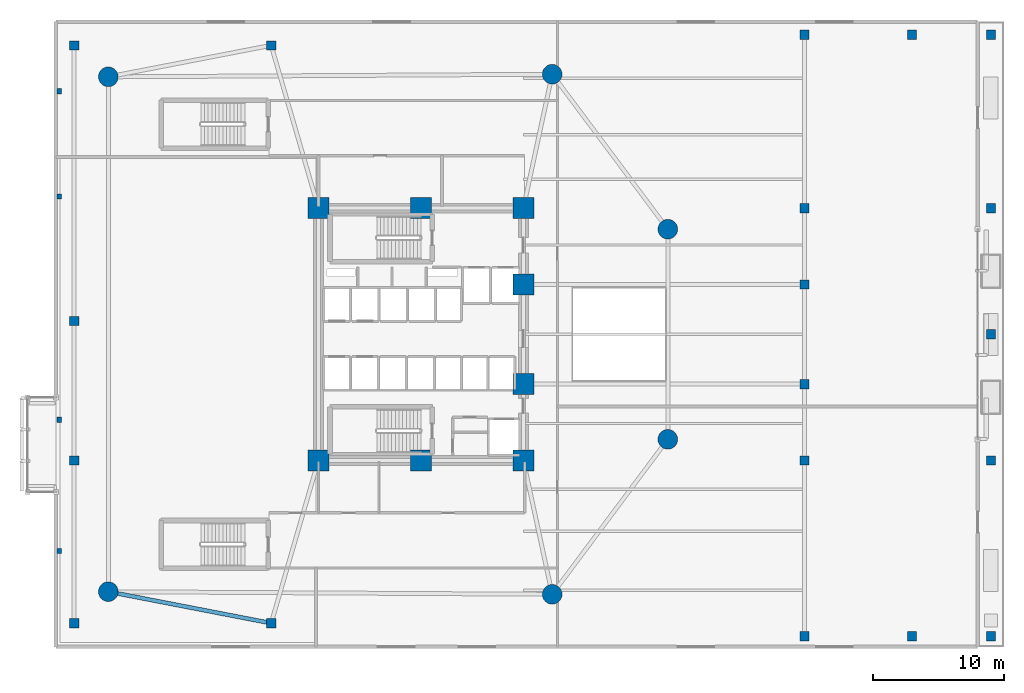
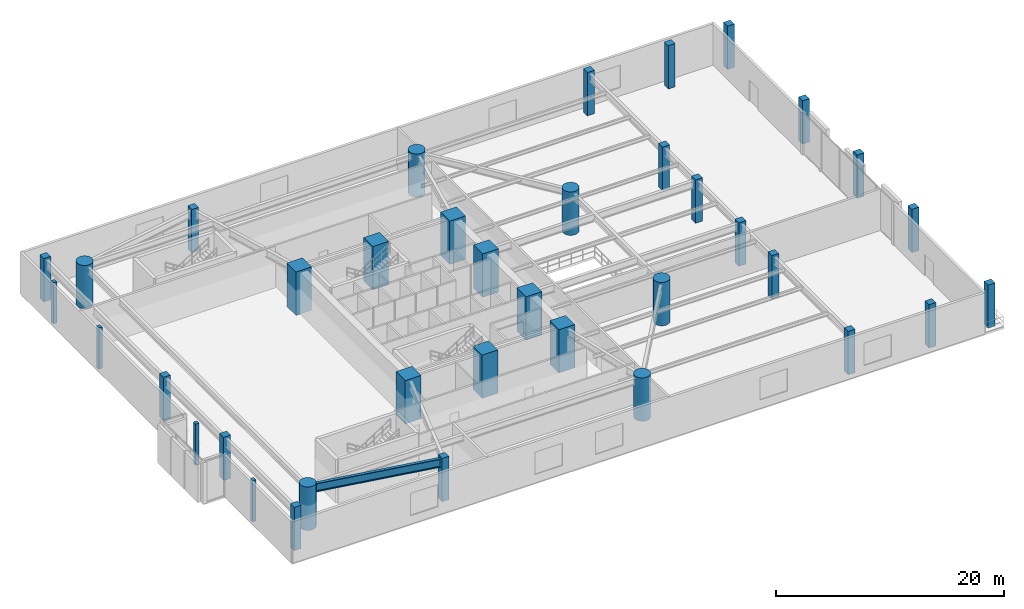
# One storey, part 1 of 16: 37 columns, 1 beam.
"""IFC4 building model written with IfcOpenShell, lengths in metres."""

from ifc_helpers import new_model, si_unit, direction, frame, origin, origin_2d, place, context, subcontext, project, spatial, rectangle, circle, i_section, extrude, material, material_profile, profile_set, type_object, element, save


model = new_model("IFC4")

# Units and contexts
model_context = context("Model", 3, precision=1e-05, world=origin(), true_north=direction((0.0, 1.0)))
body_context = subcontext(model_context, "Body", "Model", "MODEL_VIEW")
ifc_project = project(units=[si_unit("LENGTHUNIT", "METRE"), si_unit("AREAUNIT", "SQUARE_METRE"), si_unit("VOLUMEUNIT", "CUBIC_METRE"), si_unit("PLANEANGLEUNIT", "RADIAN"), si_unit("MASSUNIT", "GRAM", prefix="KILO")], contexts=[model_context])

# Site, building, storey
site_placement = place(None, origin())
site = spatial("IfcSite", under=ifc_project, at=site_placement, CompositionType="ELEMENT")
building_placement = place(site_placement, origin())
building = spatial("IfcBuilding", under=site, at=building_placement, Name="An Khanh Terracotta Commons", CompositionType="ELEMENT")
storey_placement = place(building_placement, frame((0.0, 0.0, 5.39990234375)))
storey = spatial("IfcBuildingStorey", under=building, at=storey_placement, Name="L02", CompositionType="ELEMENT", Elevation=5.39990234375)

# Columns
ifc_material_1 = material(Name="Concrete C70/85", Category="concrete")
ifc_material_profile_1 = material_profile(ifc_material_1, circle(Radius=0.75, at=origin_2d()), Name="CFST1500")
ifc_profile_set_1 = profile_set([ifc_material_profile_1], Name="Concrete C70/85")
column_type_1 = type_object("IfcColumnType", Name="COL-CFST1500", PredefinedType="COLUMN", material=ifc_profile_set_1)
for number, where, z_axis, x_axis, name in (
    (1, (5.60009765625, 4.39990234375, 0.0), (0.0, 0.0, 1.0), (1.0, 0.0, 0.0), "L02 Mega-Column MC-01"),
    (2, (39.39990234375, 4.199951171875, 0.0), (0.0, 0.0, 1.0), (1.0, 0.0, 0.0), "L02 Mega-Column MC-02"),
    (3, (48.199951171875, 16.0, 0.0), (0.0, 0.0, 1.0), (1.0, 0.0, 0.0), "L02 Mega-Column MC-03"),
    (4, (48.199951171875, 32.0, 0.0), (0.0, 0.0, 1.0), (1.0, 0.0, 0.0), "L02 Mega-Column MC-04"),
    (5, (39.39990234375, 43.800048828125, 0.0), (0.0, 0.0, 1.0), (1.0, 0.0, 0.0), "L02 Mega-Column MC-05"),
    (6, (5.60009765625, 43.60009765625, 0.0), (0.0, 0.0, 1.0), (1.0, 0.0, 0.0), "L02 Mega-Column MC-06"),
):
    element("IfcColumn", number, at=place(storey_placement, frame(where, z_axis=z_axis, x_axis=x_axis)), inside=storey, type_object=column_type_1, Name=name, PredefinedType="COLUMN", context=body_context, shape_type="SweptSolid", body=[
        extrude(circle(Radius=0.75, at=origin_2d()), origin(), (0.0, 0.0, 1.0), 4.650146484375),
    ])
ifc_material_profile_2 = material_profile(ifc_material_1, rectangle(XDim=1.60009765625, YDim=1.60009765625, at=origin_2d()), Name="RC1600x1600")
ifc_profile_set_2 = profile_set([ifc_material_profile_2], Name="Concrete C70/85")
column_type_2 = type_object("IfcColumnType", Name="COL-RC1600x1600", PredefinedType="COLUMN", material=ifc_profile_set_2)
for number, where, z_axis, x_axis, name in (
    (7, (21.60009765625, 14.39990234375, 0.0), (0.0, 0.0, 1.0), (1.0, 0.0, 0.0), "L02 Core Boundary Column CC-01"),
    (8, (29.39990234375, 14.39990234375, 0.0), (0.0, 0.0, 1.0), (1.0, 0.0, 0.0), "L02 Core Boundary Column CC-02"),
    (9, (37.199951171875, 14.39990234375, 0.0), (0.0, 0.0, 1.0), (1.0, 0.0, 0.0), "L02 Core Boundary Column CC-03"),
    (10, (37.199951171875, 20.199951171875, 0.0), (0.0, 0.0, 1.0), (1.0, 0.0, 0.0), "L02 Core Boundary Column CC-04"),
    (11, (37.199951171875, 27.800048828125, 0.0), (0.0, 0.0, 1.0), (1.0, 0.0, 0.0), "L02 Core Boundary Column CC-05"),
    (12, (37.199951171875, 33.60009765625, 0.0), (0.0, 0.0, 1.0), (1.0, 0.0, 0.0), "L02 Core Boundary Column CC-06"),
    (13, (29.39990234375, 33.60009765625, 0.0), (0.0, 0.0, 1.0), (1.0, 0.0, 0.0), "L02 Core Boundary Column CC-07"),
    (14, (21.60009765625, 33.60009765625, 0.0), (0.0, 0.0, 1.0), (1.0, 0.0, 0.0), "L02 Core Boundary Column CC-08"),
):
    element("IfcColumn", number, at=place(storey_placement, frame(where, z_axis=z_axis, x_axis=x_axis)), inside=storey, type_object=column_type_2, Name=name, PredefinedType="COLUMN", context=body_context, shape_type="SweptSolid", body=[
        extrude(rectangle(XDim=1.60009765625, YDim=1.60009765625, at=origin_2d()), origin(), (0.0, 0.0, 1.0), 4.650146484375),
    ])
ifc_material_2 = material(Name="Concrete C50/60", Category="concrete")
ifc_material_profile_3 = material_profile(ifc_material_2, rectangle(XDim=0.699951171875, YDim=0.699951171875, at=origin_2d()), Name="RC700x700")
ifc_profile_set_3 = profile_set([ifc_material_profile_3], Name="Concrete C50/60")
column_type_3 = type_object("IfcColumnType", Name="COL-RC700x700", PredefinedType="COLUMN", material=ifc_profile_set_3)
for number, where, z_axis, x_axis, name in (
    (15, (3.0, 2.0, 0.0), (0.0, 0.0, 1.0), (1.0, 0.0, 0.0), "L02 Podium Column PC-01"),
    (16, (18.0, 2.0, 0.0), (0.0, 0.0, 1.0), (1.0, 0.0, 0.0), "L02 Podium Column PC-02"),
    (17, (58.60009765625, 1.0, 0.0), (0.0, 0.0, 1.0), (1.0, 0.0, 0.0), "L02 Podium Column PC-03"),
    (18, (72.800048828125, 1.0, 0.0), (0.0, 0.0, 1.0), (1.0, 0.0, 0.0), "L02 Podium Column PC-04"),
    (19, (72.800048828125, 14.39990234375, 0.0), (0.0, 0.0, 1.0), (1.0, 0.0, 0.0), "L02 Podium Column PC-05"),
    (20, (72.800048828125, 24.0, 0.0), (0.0, 0.0, 1.0), (1.0, 0.0, 0.0), "L02 Podium Column PC-06"),
    (21, (72.800048828125, 33.60009765625, 0.0), (0.0, 0.0, 1.0), (1.0, 0.0, 0.0), "L02 Podium Column PC-07"),
    (22, (72.800048828125, 46.800048828125, 0.0), (0.0, 0.0, 1.0), (1.0, 0.0, 0.0), "L02 Podium Column PC-08"),
    (23, (58.60009765625, 46.800048828125, 0.0), (0.0, 0.0, 1.0), (1.0, 0.0, 0.0), "L02 Podium Column PC-09"),
    (24, (18.0, 46.0, 0.0), (0.0, 0.0, 1.0), (1.0, 0.0, 0.0), "L02 Podium Column PC-10"),
    (25, (3.0, 46.0, 0.0), (0.0, 0.0, 1.0), (1.0, 0.0, 0.0), "L02 Podium Column PC-11"),
    (26, (3.0, 14.39990234375, 0.0), (0.0, 0.0, 1.0), (1.0, 0.0, 0.0), "L02 Podium Column PC-12"),
    (27, (3.0, 25.0, 0.0), (0.0, 0.0, 1.0), (1.0, 0.0, 0.0), "L02 Podium Column PC-17"),
    (28, (58.60009765625, 20.199951171875, 0.0), (0.0, 0.0, 1.0), (1.0, 0.0, 0.0), "L02 Podium Column PC-13"),
    (29, (58.60009765625, 27.800048828125, 0.0), (0.0, 0.0, 1.0), (1.0, 0.0, 0.0), "L02 Podium Column PC-14"),
    (30, (58.60009765625, 14.39990234375, 0.0), (0.0, 0.0, 1.0), (1.0, 0.0, 0.0), "L02 Podium Column PC-18"),
    (31, (58.60009765625, 33.60009765625, 0.0), (0.0, 0.0, 1.0), (1.0, 0.0, 0.0), "L02 Podium Column PC-19"),
    (32, (66.800048828125, 1.0, 0.0), (0.0, 0.0, 1.0), (1.0, 0.0, 0.0), "L02 Podium Column PC-15"),
    (33, (66.800048828125, 46.800048828125, 0.0), (0.0, 0.0, 1.0), (1.0, 0.0, 0.0), "L02 Podium Column PC-16"),
):
    element("IfcColumn", number, at=place(storey_placement, frame(where, z_axis=z_axis, x_axis=x_axis)), inside=storey, type_object=column_type_3, Name=name, PredefinedType="COLUMN", context=body_context, shape_type="SweptSolid", body=[
        extrude(rectangle(XDim=0.699951171875, YDim=0.699951171875, at=origin_2d()), origin(), (0.0, 0.0, 1.0), 4.650146484375),
    ])
ifc_material_profile_4 = material_profile(ifc_material_2, rectangle(XDim=0.35009765625, YDim=0.39990234375, at=origin_2d()), Name="RC400x350")
ifc_profile_set_4 = profile_set([ifc_material_profile_4], Name="Concrete C50/60")
column_type_4 = type_object("IfcColumnType", Name="PIL-RC400x350", PredefinedType="PILASTER", material=ifc_profile_set_4)
for number, where, z_axis, x_axis, name in (
    (34, (1.85009765625, 7.5, 0.0), (0.0, 0.0, 1.0), (1.0, 0.0, 0.0), "L02 Boulevard Arcade Pilaster 1"),
    (35, (1.85009765625, 17.5, 0.0), (0.0, 0.0, 1.0), (1.0, 0.0, 0.0), "L02 Boulevard Arcade Pilaster 2"),
    (36, (1.85009765625, 34.5, 0.0), (0.0, 0.0, 1.0), (1.0, 0.0, 0.0), "L02 Boulevard Arcade Pilaster 3"),
    (37, (1.85009765625, 42.5, 0.0), (0.0, 0.0, 1.0), (1.0, 0.0, 0.0), "L02 Boulevard Arcade Pilaster 4"),
):
    element("IfcColumn", number, at=place(storey_placement, frame(where, z_axis=z_axis, x_axis=x_axis)), inside=storey, type_object=column_type_4, Name=name, PredefinedType="PILASTER", context=body_context, shape_type="SweptSolid", body=[
        extrude(rectangle(XDim=0.35009765625, YDim=0.39990234375, at=origin_2d()), origin(), (0.0, 0.0, 1.0), 4.43017578125),
    ])

# Beam
ifc_material_3 = material(Name="Steel S460ML", Category="steel")
ifc_material_profile_5 = material_profile(ifc_material_3, i_section(OverallWidth=0.302001953125, OverallDepth=0.909912109375, WebThickness=0.02099609375, FlangeThickness=0.0400390625, FilletRadius=0.030029296875, at=origin_2d()), Name="HEM900")
ifc_profile_set_5 = profile_set([ifc_material_profile_5], Name="Steel S460ML")
beam_type = type_object("IfcBeamType", Name="BM-HEM900", PredefinedType="BEAM", material=ifc_profile_set_5)
beam_placement = place(storey_placement, frame((5.60009765625, 4.39990234375, 3.97509765625), z_axis=(0.981781013874, -0.190015896168, 0.0), x_axis=(0.190015896168, 0.981781013874, 0.0)))
element("IfcBeam", 38, at=beam_placement, inside=storey, type_object=beam_type, Name="L02 Primary Podium Girder 4", PredefinedType="BEAM", context=body_context, shape_type="SweptSolid", body=[
    extrude(i_section(OverallWidth=0.302001953125, OverallDepth=0.909912109375, WebThickness=0.02099609375, FlangeThickness=0.0400390625, FilletRadius=0.030029296875, at=origin_2d()), origin(), (0.0, 0.0, 1.0), 12.630126953125),
])

save(model, "model.ifc")
